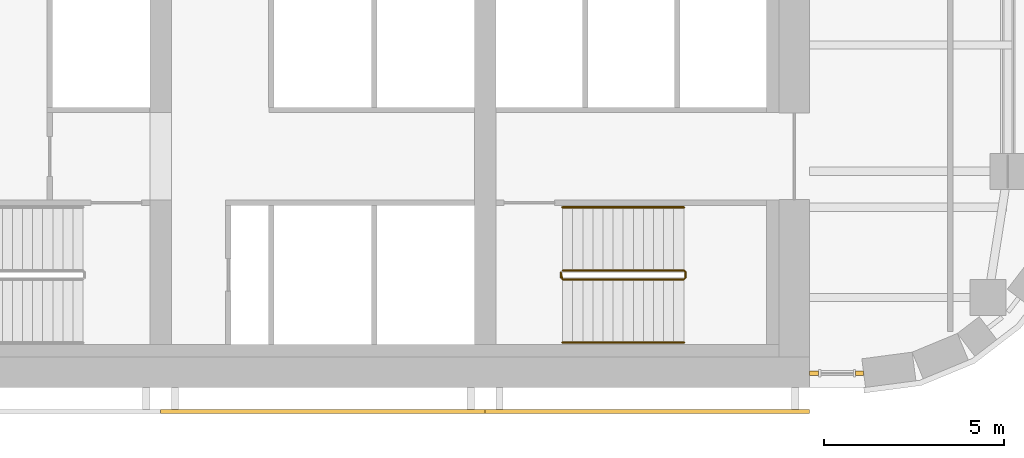
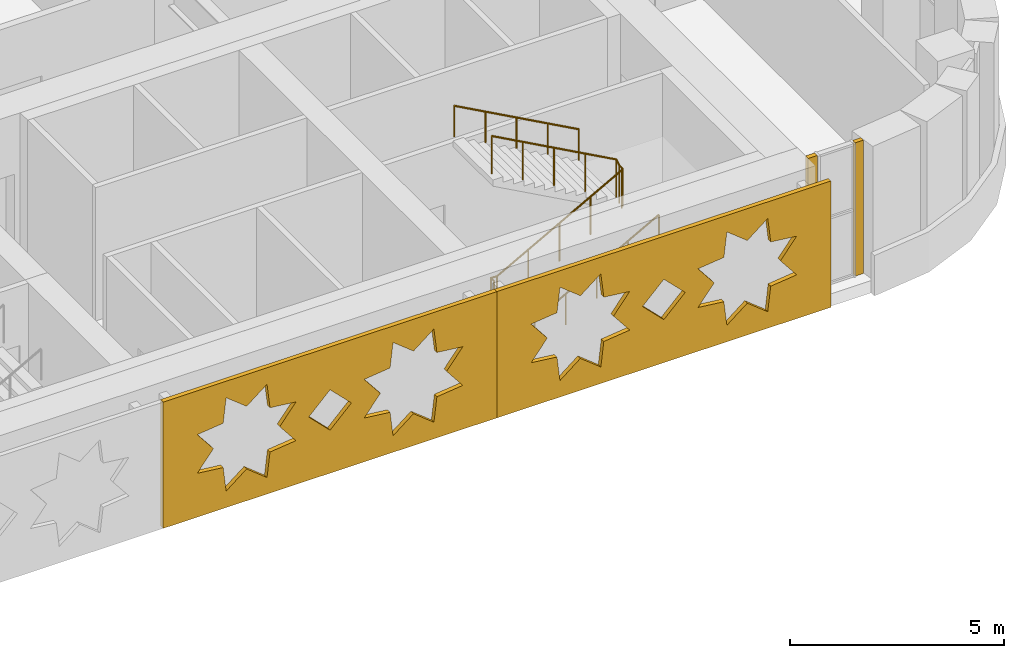
# One storey, part 20 of 23: 4 coverings, 3 railings.
"""IFC4 building model written with IfcOpenShell, lengths in metres."""

import ifcopenshell
import ifcopenshell.guid

model = None  # the IFC model being written
_history = None  # IfcOwnerHistory: only IFC2X3 demands one
_inside = {}  # id of a spatial element -> (the spatial element, [elements in it])
_under = {}  # id of a project, library or spatial element -> (it, [spatial elements below it])
_declared = {}  # id of a project -> (the project, [libraries it declares])
_typed = {}  # id of a type object -> (the type object, [elements of that type])
_made_of = {}  # id of a material, layer set ... -> (it, [elements and type objects made of it])


def new_model(schema):
    """Start an empty IFC model of exactly this schema.

    Asked for "IFC4X3", IfcOpenShell would pick the latest addendum, in which some entities
    have other attributes; the version numbers below select the first issue.
    IFC2X3 requires an IfcOwnerHistory on every rooted entity: one is made here for all.
    """
    global model, _history
    if schema == "IFC4X3":
        model = ifcopenshell.file(schema_version=(4, 3, 0, 0))
    else:
        model = ifcopenshell.file(schema=schema)
    _inside.clear()
    _under.clear()
    _declared.clear()
    _typed.clear()
    _made_of.clear()
    _history = None
    if model.schema == "IFC2X3":
        org = make("IfcOrganization", Name="unknown")
        user = make(
            "IfcPersonAndOrganization",
            ThePerson=make("IfcPerson", FamilyName="unknown"),
            TheOrganization=org,
        )
        app = make(
            "IfcApplication",
            ApplicationDeveloper=org,
            Version="unknown",
            ApplicationFullName="unknown",
            ApplicationIdentifier="unknown",
        )
        _history = make(
            "IfcOwnerHistory",
            OwningUser=user,
            OwningApplication=app,
            ChangeAction="ADDED",
            CreationDate=0,
        )
    return model


def make(cls, **values):
    """One entity of the class cls with the attributes given. An attribute that is None is left unset."""
    return model.create_entity(
        cls, **{name: value for name, value in values.items() if value is not None}
    )


def rooted(cls, **values):
    """An entity with a GlobalId (a new one), such as an element, a storey or a relation."""
    return make(cls, GlobalId=ifcopenshell.guid.new(), OwnerHistory=_history, **values)


def si_unit(unit_type, name, prefix=None):
    """IfcSIUnit, for example si_unit("LENGTHUNIT", "METRE", prefix="MILLI")."""
    return make("IfcSIUnit", UnitType=unit_type, Prefix=prefix, Name=name)


def assignment(units):
    """IfcUnitAssignment: the units of a project."""
    return None if units is None else make("IfcUnitAssignment", Units=units)


def point(xyz):
    """IfcCartesianPoint."""
    return None if xyz is None else make("IfcCartesianPoint", Coordinates=xyz)


def direction(xyz):
    """IfcDirection."""
    return None if xyz is None else make("IfcDirection", DirectionRatios=xyz)


def frame(location, z_axis=None, x_axis=None):
    """IfcAxis2Placement3D, a coordinate frame: its origin and axes. An axis left out is left unset."""
    return make(
        "IfcAxis2Placement3D",
        Location=point(location),
        Axis=direction(z_axis),
        RefDirection=direction(x_axis),
    )


def frame_2d(location, x_axis=None):
    """IfcAxis2Placement2D, a coordinate frame in the plane: its origin and x axis."""
    return make(
        "IfcAxis2Placement2D", Location=point(location), RefDirection=direction(x_axis)
    )


def origin():
    """The frame at (0, 0, 0) with its axes left unset."""
    return frame((0.0, 0.0, 0.0))


def origin_2d():
    """The frame at (0, 0) in the plane with its x axis left unset."""
    return frame_2d((0.0, 0.0))


def place(relative_to, where):
    """IfcLocalPlacement: puts the frame where relative to a parent placement (None: the world)."""
    return make(
        "IfcLocalPlacement", PlacementRelTo=relative_to, RelativePlacement=where
    )


def context(
    kind, dimensions, precision=None, world=None, true_north=None, identifier=None
):
    """IfcGeometricRepresentationContext, for example the 3D "Model" context."""
    return make(
        "IfcGeometricRepresentationContext",
        ContextIdentifier=identifier,
        ContextType=kind,
        CoordinateSpaceDimension=dimensions,
        Precision=precision,
        WorldCoordinateSystem=world,
        TrueNorth=true_north,
    )


def subcontext(parent, identifier, kind, view, scale=None):
    """IfcGeometricRepresentationSubContext, for example "Body" below "Model"."""
    return make(
        "IfcGeometricRepresentationSubContext",
        ContextIdentifier=identifier,
        ContextType=kind,
        ParentContext=parent,
        TargetScale=scale,
        TargetView=view,
    )


def project(units=None, contexts=None):
    """IfcProject with its units and contexts."""
    return rooted(
        "IfcProject",
        Name="project",
        RepresentationContexts=contexts,
        UnitsInContext=assignment(units),
    )


def spatial(cls, under=None, at=None, **own):
    """A site, building, storey or space (cls), placed at a placement, below another one or the project."""
    s = rooted(cls, ObjectPlacement=at, **own)
    if under is not None:
        _under.setdefault(under.id(), (under, []))[1].append(s)
    return s


def polyline(points):
    """IfcPolyline through the points."""
    return make("IfcPolyline", Points=[point(p) for p in points])


def profile(cls, at=None, kind="AREA", **sizes):
    """A parametric profile (cls). Its sizes go by their IFC names, for example OverallWidth=200.0."""
    return make(cls, ProfileType=kind, Position=at, **sizes)


def rectangle(**sizes):
    """IfcRectangleProfileDef."""
    return profile("IfcRectangleProfileDef", **sizes)


def circle(**sizes):
    """IfcCircleProfileDef."""
    return profile("IfcCircleProfileDef", **sizes)


def outline(outer, holes=None, kind="AREA"):
    """IfcArbitraryClosedProfileDef: a profile drawn as a closed curve; with holes, ...WithVoids."""
    if holes is None:
        return make("IfcArbitraryClosedProfileDef", ProfileType=kind, OuterCurve=outer)
    return make(
        "IfcArbitraryProfileDefWithVoids",
        ProfileType=kind,
        OuterCurve=outer,
        InnerCurves=holes,
    )


def extrude(swept, where, along, depth):
    """IfcExtrudedAreaSolid: the profile swept, set in the frame where, extruded along a direction by depth."""
    return make(
        "IfcExtrudedAreaSolid",
        SweptArea=swept,
        Position=where,
        ExtrudedDirection=direction(along),
        Depth=depth,
    )


def shape(context_of_items, identifier, shape_type, items):
    """IfcShapeRepresentation: the items that make up one representation, for example the "Body"."""
    return make(
        "IfcShapeRepresentation",
        ContextOfItems=context_of_items,
        RepresentationIdentifier=identifier,
        RepresentationType=shape_type,
        Items=items,
    )


def material(Name=None, Category=None):
    """IfcMaterial."""
    return make("IfcMaterial", Name=Name, Category=Category)


def layer(
    of_material, thickness, ventilated=None, Name=None, Category=None, Priority=None
):
    """IfcMaterialLayer: one layer of a wall or slab, of a material (None: an air gap)."""
    return make(
        "IfcMaterialLayer",
        Material=of_material,
        LayerThickness=thickness,
        IsVentilated=ventilated,
        Name=Name,
        Category=Category,
        Priority=Priority,
    )


def layer_set(layers, Name=None):
    """IfcMaterialLayerSet."""
    return make("IfcMaterialLayerSet", MaterialLayers=layers, LayerSetName=Name)


def made_of(thing, what):
    """Note that an element or type object is made of a material, layer set ...; save() writes the relation."""
    if what is not None:
        _made_of.setdefault(what.id(), (what, []))[1].append(thing)
    return thing


def type_object(cls, material=None, **own):
    """A type object (cls), such as IfcWallType, which elements share."""
    return made_of(rooted(cls, **own), material)


def element(
    cls,
    number,
    at=None,
    inside=None,
    cuts=None,
    type_object=None,
    material=None,
    context=None,
    identifier="Body",
    shape_type=None,
    held_by="IfcProductDefinitionShape",
    body=None,
    shapes=None,
    **own,
):
    """One element of the class cls, such as IfcWall. Its Tag is "e" and its number.

    at: its placement. inside: the storey or other place that contains it. cuts: it is an
    opening in that element (IfcRelVoidsElement). A single representation is given by context,
    identifier, shape_type and body (its items); several are given by shapes. held_by: the class
    of the entity that holds the representations. save() writes the other relations.
    """
    e = rooted(cls, Tag="e%d" % number, ObjectPlacement=at, **own)
    if body is not None:
        shapes = [shape(context, identifier, shape_type, body)]
    if shapes is not None:
        e.Representation = make(held_by, Representations=shapes)
    if inside is not None:
        _inside.setdefault(inside.id(), (inside, []))[1].append(e)
    if cuts is not None:
        rooted(
            "IfcRelVoidsElement", RelatingBuildingElement=cuts, RelatedOpeningElement=e
        )
    if type_object is not None:
        _typed.setdefault(type_object.id(), (type_object, []))[1].append(e)
    return made_of(e, material)


def aggregate(whole, parts):
    """IfcRelAggregates: a whole, such as a stair, and the parts it consists of."""
    return rooted("IfcRelAggregates", RelatingObject=whole, RelatedObjects=parts)


def save(model, path):
    """Write the relations noted so far, then the file.

    IfcRelAggregates (storeys below a building ...), IfcRelContainedInSpatialStructure (elements
    in a storey), IfcRelDefinesByType, IfcRelAssociatesMaterial and IfcRelDeclares: one each for
    every whole, place, type object, material and project.
    """
    for whole, parts in _under.values():
        aggregate(whole, parts)
    for where, things in _inside.values():
        rooted(
            "IfcRelContainedInSpatialStructure",
            RelatedElements=things,
            RelatingStructure=where,
        )
    for kind, things in _typed.values():
        rooted("IfcRelDefinesByType", RelatedObjects=things, RelatingType=kind)
    for what, things in _made_of.values():
        rooted("IfcRelAssociatesMaterial", RelatedObjects=things, RelatingMaterial=what)
    for by, libraries in _declared.values():
        rooted("IfcRelDeclares", RelatingContext=by, RelatedDefinitions=libraries)
    model.write(path)


model = new_model("IFC4")

# Units and contexts
model_context = context("Model", 3, precision=1e-05, world=origin(), true_north=direction((0.0, 1.0)))
body_context = subcontext(model_context, "Body", "Model", "MODEL_VIEW")
ifc_project = project(units=[si_unit("LENGTHUNIT", "METRE"), si_unit("AREAUNIT", "SQUARE_METRE"), si_unit("VOLUMEUNIT", "CUBIC_METRE"), si_unit("PLANEANGLEUNIT", "RADIAN"), si_unit("MASSUNIT", "GRAM", prefix="KILO")], contexts=[model_context])

# Site, building, storey
site_placement = place(None, origin())
site = spatial("IfcSite", under=ifc_project, at=site_placement, CompositionType="ELEMENT")
building_placement = place(site_placement, origin())
building = spatial("IfcBuilding", under=site, at=building_placement, Name="Zellij Exchange Tower", CompositionType="ELEMENT")
storey_placement = place(building_placement, frame((0.0, 0.0, 160.5)))
storey = spatial("IfcBuildingStorey", under=building, at=storey_placement, Name="L36", CompositionType="ELEMENT", Elevation=160.5)

# Railings
ifc_material_1 = material(Name="Stainless steel", Category="steel")
railing_type_1 = type_object("IfcRailingType", Name="CORE-RG stair guard", PredefinedType="GUARDRAIL", material=ifc_material_1)
railing_1_placement = place(storey_placement, frame((20.10009765625, -10.949951171875, 0.0)))
element("IfcRailing", 1, at=railing_1_placement, inside=storey, type_object=railing_type_1, Name="ST4 stair guard L36", PredefinedType="GUARDRAIL", context=body_context, shape_type="SweptSolid", body=[
    extrude(circle(Radius=0.02392578125, at=origin_2d()), frame((0.0, 0.0, 1.076171875), z_axis=(0.0, 1.0, 0.0), x_axis=(-1.0, 0.0, 0.0)), (0.0, 0.0, 1.0), 0.14990234375),
    extrude(circle(Radius=0.02392578125, at=origin_2d()), frame((0.0, 0.14990234375, 1.076171875), z_axis=(0.193691321961, -0.777613689637, 0.598164376644), x_axis=(0.970351222016, 0.241699205484, 0.0)), (0.0, 0.0, 1.0), 0.257080078125),
    extrude(circle(Radius=0.02392578125, at=origin_2d()), frame((0.0498046875, -0.050048828125, 1.22998046875), z_axis=(0.876421534553, 0.0, 0.481544695509), x_axis=(0.0, 1.0, 0.0)), (0.0, 0.0, 1.0), 3.833984375),
    extrude(circle(Radius=0.02392578125, at=origin_2d()), frame((3.409912109375, -0.050048828125, 3.076171875), z_axis=(0.707106781187, 0.707106781187, 0.0), x_axis=(-0.707106781187, 0.707106781187, 0.0)), (0.0, 0.0, 1.0), 0.07080078125),
    extrude(circle(Radius=0.02392578125, at=origin_2d()), frame((3.4599609375, 0.0, 3.076171875), z_axis=(0.0, 1.0, 0.0), x_axis=(-1.0, 0.0, 0.0)), (0.0, 0.0, 1.0), 0.14990234375),
    extrude(circle(Radius=0.02392578125, at=origin_2d()), frame((3.4599609375, 0.14990234375, 3.076171875), z_axis=(-0.295599637079, 0.295599637079, 0.908428152975), x_axis=(-0.707106781187, -0.707106781187, 0.0)), (0.0, 0.0, 1.0), 0.16943359375),
    extrude(circle(Radius=0.02392578125, at=origin_2d()), frame((3.409912109375, 0.199951171875, 3.22998046875), z_axis=(-0.876421534553, 0.0, 0.481544695509), x_axis=(0.0, -1.0, 0.0)), (0.0, 0.0, 1.0), 3.833984375),
    extrude(circle(Radius=0.02099609375, at=origin_2d()), origin(), (0.0, 0.0, 1.0), 1.052001953125),
    extrude(circle(Radius=0.02099609375, at=origin_2d()), frame((0.0, 0.14990234375, 0.0)), (0.0, 0.0, 1.0), 1.052001953125),
    extrude(circle(Radius=0.02099609375, at=origin_2d()), frame((0.0498046875, -0.050048828125, 0.15380859375)), (0.0, 0.0, 1.0), 1.052001953125),
    extrude(circle(Radius=0.02099609375, at=origin_2d()), frame((0.889892578125, -0.050048828125, 0.615234375)), (0.0, 0.0, 1.0), 1.052001953125),
    extrude(circle(Radius=0.02099609375, at=origin_2d()), frame((1.72998046875, -0.050048828125, 1.076904296875)), (0.0, 0.0, 1.0), 1.052001953125),
    extrude(circle(Radius=0.02099609375, at=origin_2d()), frame((2.56982421875, -0.050048828125, 1.53857421875)), (0.0, 0.0, 1.0), 1.052001953125),
    extrude(circle(Radius=0.02099609375, at=origin_2d()), frame((3.409912109375, -0.050048828125, 2.0)), (0.0, 0.0, 1.0), 1.052001953125),
    extrude(circle(Radius=0.02099609375, at=origin_2d()), frame((3.4599609375, 0.0, 2.0)), (0.0, 0.0, 1.0), 1.052001953125),
    extrude(circle(Radius=0.02099609375, at=origin_2d()), frame((3.4599609375, 0.14990234375, 2.0)), (0.0, 0.0, 1.0), 1.052001953125),
    extrude(circle(Radius=0.02099609375, at=origin_2d()), frame((3.409912109375, 0.199951171875, 2.15380859375)), (0.0, 0.0, 1.0), 1.052001953125),
    extrude(circle(Radius=0.02099609375, at=origin_2d()), frame((2.56982421875, 0.199951171875, 2.615234375)), (0.0, 0.0, 1.0), 1.052001953125),
    extrude(circle(Radius=0.02099609375, at=origin_2d()), frame((1.72998046875, 0.199951171875, 3.076904296875)), (0.0, 0.0, 1.0), 1.052001953125),
    extrude(circle(Radius=0.02099609375, at=origin_2d()), frame((0.889892578125, 0.199951171875, 3.53857421875)), (0.0, 0.0, 1.0), 1.052001953125),
    extrude(circle(Radius=0.02099609375, at=origin_2d()), frame((0.0498046875, 0.199951171875, 4.0)), (0.0, 0.0, 1.0), 1.052001953125),
])
railing_type_2 = type_object("IfcRailingType", Name="CORE-RH stair handrail", PredefinedType="HANDRAIL", material=ifc_material_1)
railing_2_placement = place(storey_placement, frame((20.14990234375, -12.75, 0.15380859375)))
element("IfcRailing", 2, at=railing_2_placement, inside=storey, type_object=railing_type_2, Name="ST4 stair handrail L36", PredefinedType="HANDRAIL", context=body_context, shape_type="SweptSolid", body=[
    extrude(circle(Radius=0.02392578125, at=origin_2d()), frame((0.0, 0.0, 0.8759765625), z_axis=(0.876421534553, 0.0, 0.481544695509), x_axis=(0.0, 1.0, 0.0)), (0.0, 0.0, 1.0), 3.833984375),
    extrude(circle(Radius=0.02099609375, at=origin_2d()), origin(), (0.0, 0.0, 1.0), 0.851806640625),
    extrude(circle(Radius=0.02099609375, at=origin_2d()), frame((0.840087890625, 0.0, 0.46142578125)), (0.0, 0.0, 1.0), 0.851806640625),
    extrude(circle(Radius=0.02099609375, at=origin_2d()), frame((1.68017578125, 0.0, 0.923095703125)), (0.0, 0.0, 1.0), 0.851806640625),
    extrude(circle(Radius=0.02099609375, at=origin_2d()), frame((2.52001953125, 0.0, 1.384765625)), (0.0, 0.0, 1.0), 0.851806640625),
    extrude(circle(Radius=0.02099609375, at=origin_2d()), frame((3.360107421875, 0.0, 1.84619140625)), (0.0, 0.0, 1.0), 0.851806640625),
])
railing_3_placement = place(storey_placement, frame((23.510009765625, -9.0, 2.15380859375)))
element("IfcRailing", 3, at=railing_3_placement, inside=storey, type_object=railing_type_2, Name="ST4 stair handrail L36", PredefinedType="HANDRAIL", context=body_context, shape_type="SweptSolid", body=[
    extrude(circle(Radius=0.02392578125, at=origin_2d()), frame((0.0, 0.0, 0.8759765625), z_axis=(-0.876421534553, 0.0, 0.481544695509), x_axis=(0.0, -1.0, 0.0)), (0.0, 0.0, 1.0), 3.833984375),
    extrude(circle(Radius=0.02099609375, at=origin_2d()), origin(), (0.0, 0.0, 1.0), 0.851806640625),
    extrude(circle(Radius=0.02099609375, at=origin_2d()), frame((-0.840087890625, 0.0, 0.46142578125)), (0.0, 0.0, 1.0), 0.851806640625),
    extrude(circle(Radius=0.02099609375, at=origin_2d()), frame((-1.68017578125, 0.0, 0.923095703125)), (0.0, 0.0, 1.0), 0.851806640625),
    extrude(circle(Radius=0.02099609375, at=origin_2d()), frame((-2.52001953125, 0.0, 1.384765625)), (0.0, 0.0, 1.0), 0.851806640625),
    extrude(circle(Radius=0.02099609375, at=origin_2d()), frame((-3.360107421875, 0.0, 1.84619140625)), (0.0, 0.0, 1.0), 0.851806640625),
])

# Coverings
ifc_material_2 = material(Name="Limestone cladding", Category="masonry")
ifc_layer_1 = layer(ifc_material_2, 0.1201171875)
ifc_layer_set_1 = layer_set([ifc_layer_1], Name="Limestone cladding")
covering_type_1 = type_object("IfcCoveringType", Name="ENV-CV18 Glazing closer 120", PredefinedType="CLADDING", material=ifc_layer_set_1)
covering_1_placement = place(storey_placement, frame((27.125, -13.60009765625, 0.0), z_axis=(0.0, 0.0, 1.0), x_axis=(-1.0, 0.0, 0.0)))
element("IfcCovering", 4, at=covering_1_placement, inside=storey, type_object=covering_type_1, Name="Glazing closer", PredefinedType="CLADDING", context=body_context, shape_type="SweptSolid", body=[
    extrude(rectangle(XDim=0.25, YDim=0.1201171875, at=origin_2d()), origin(), (0.0, 0.0, 1.0), 3.800048828125),
])
covering_2_placement = place(storey_placement, frame((28.383056640625, -13.60009765625, 0.0), z_axis=(0.0, 0.0, 1.0), x_axis=(1.0, 0.0, 0.0)))
element("IfcCovering", 5, at=covering_2_placement, inside=storey, type_object=covering_type_1, Name="Glazing closer", PredefinedType="CLADDING", context=body_context, shape_type="SweptSolid", body=[
    extrude(rectangle(XDim=0.218505859375, YDim=0.1201171875, at=origin_2d()), origin(), (0.0, 0.0, 1.0), 3.800048828125),
])
ifc_material_3 = material(Name="Limestone screen", Category="masonry")
ifc_layer_2 = layer(ifc_material_3, 0.1201171875)
ifc_layer_set_2 = layer_set([ifc_layer_2], Name="Limestone screen")
covering_type_2 = type_object("IfcCoveringType", Name="ENV-SC5 Pierced stone relief 120", PredefinedType="USERDEFINED", material=ifc_layer_set_2)
for number, where, z_axis, x_axis, name in (
    (6, (9.0, -14.659912109375, 0.199951171875), (0.0, 0.0, 1.0), (1.0, 0.0, 0.0), "Pierced stone relief"),
    (7, (18.0, -14.659912109375, 0.199951171875), (0.0, 0.0, 1.0), (1.0, 0.0, 0.0), "Pierced stone relief"),
):
    element("IfcCovering", number, at=place(storey_placement, frame(where, z_axis=z_axis, x_axis=x_axis)), inside=storey, type_object=covering_type_2, Name=name, ObjectType="SCREEN", PredefinedType="USERDEFINED", context=body_context, shape_type="SweptSolid", body=[
        extrude(outline(polyline([(0.0, 0.0), (9.0, 0.0), (9.0, 3.60009765625), (0.0, 3.60009765625), (0.0, 0.0)]), holes=[polyline([(3.580322265625, 2.35107421875), (2.88134765625, 2.431396484375), (2.801025390625, 3.13037109375), (2.25, 2.69287109375), (1.698974609375, 3.13037109375), (1.61865234375, 2.431396484375), (0.919677734375, 2.35107421875), (1.357177734375, 1.800048828125), (0.919677734375, 1.248779296875), (1.61865234375, 1.168701171875), (1.698974609375, 0.469482421875), (2.25, 0.9072265625), (2.801025390625, 0.469482421875), (2.88134765625, 1.168701171875), (3.580322265625, 1.248779296875), (3.142822265625, 1.800048828125), (3.580322265625, 2.35107421875)]), polyline([(8.080322265625, 2.35107421875), (7.38134765625, 2.431396484375), (7.301025390625, 3.13037109375), (6.75, 2.69287109375), (6.198974609375, 3.13037109375), (6.11865234375, 2.431396484375), (5.419677734375, 2.35107421875), (5.857177734375, 1.800048828125), (5.419677734375, 1.248779296875), (6.11865234375, 1.168701171875), (6.198974609375, 0.469482421875), (6.75, 0.9072265625), (7.301025390625, 0.469482421875), (7.38134765625, 1.168701171875), (8.080322265625, 1.248779296875), (7.642822265625, 1.800048828125), (8.080322265625, 2.35107421875)]), polyline([(5.075927734375, 1.800048828125), (4.5, 2.3759765625), (3.924072265625, 1.800048828125), (4.5, 1.22412109375), (5.075927734375, 1.800048828125)])]), frame((0.0, 0.06005859375, 0.0), z_axis=(0.0, -1.0, 0.0), x_axis=(1.0, 0.0, 0.0)), (0.0, 0.0, 1.0), 0.1201171875),
    ])

save(model, "model.ifc")
